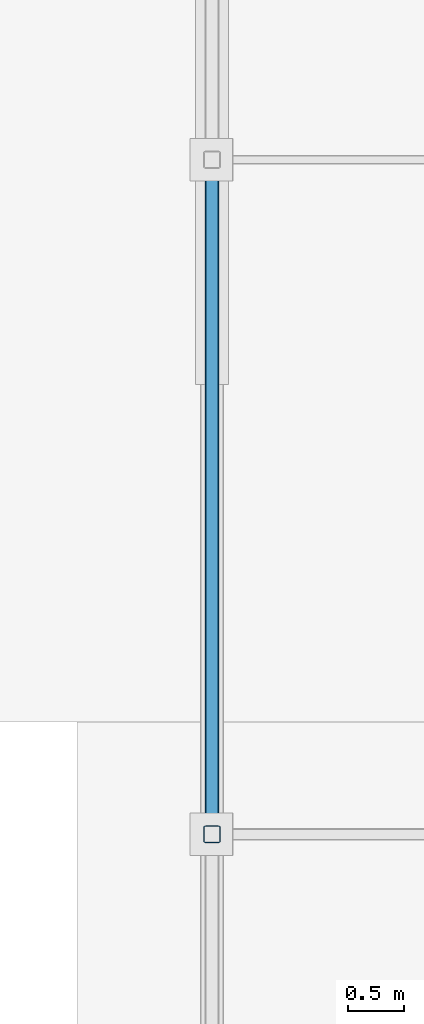
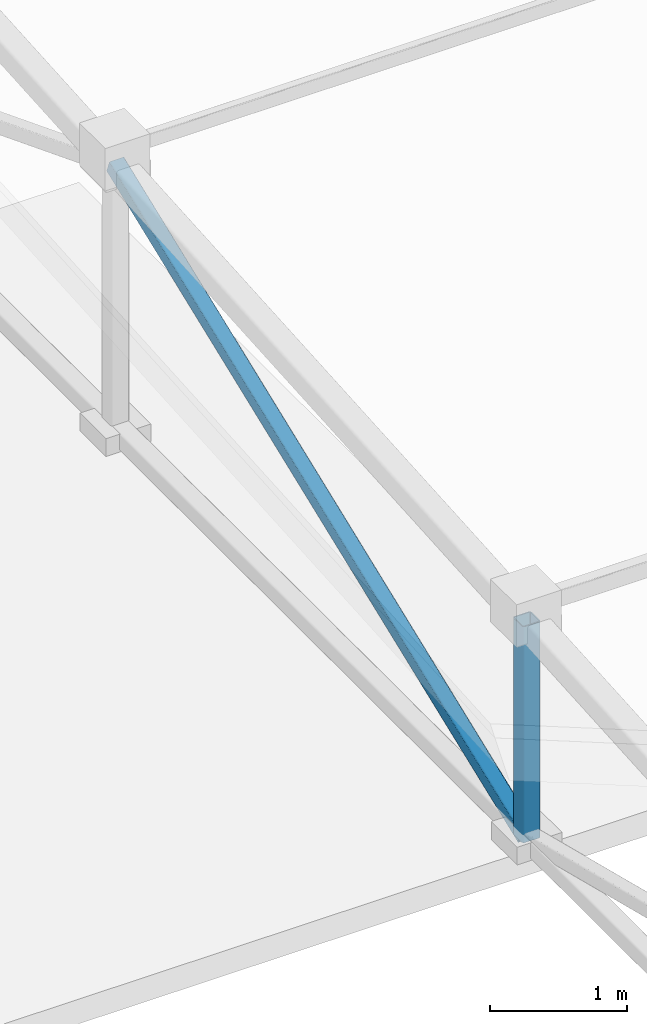
# One storey, part 12 of 85: 2 members.
"""IFC4 building model written with IfcOpenShell, lengths in metres."""

import ifcopenshell
import ifcopenshell.guid

model = None  # the IFC model being written
_history = None  # IfcOwnerHistory: only IFC2X3 demands one
_inside = {}  # id of a spatial element -> (the spatial element, [elements in it])
_under = {}  # id of a project, library or spatial element -> (it, [spatial elements below it])
_declared = {}  # id of a project -> (the project, [libraries it declares])
_typed = {}  # id of a type object -> (the type object, [elements of that type])
_made_of = {}  # id of a material, layer set ... -> (it, [elements and type objects made of it])


def new_model(schema):
    """Start an empty IFC model of exactly this schema.

    Asked for "IFC4X3", IfcOpenShell would pick the latest addendum, in which some entities
    have other attributes; the version numbers below select the first issue.
    IFC2X3 requires an IfcOwnerHistory on every rooted entity: one is made here for all.
    """
    global model, _history
    if schema == "IFC4X3":
        model = ifcopenshell.file(schema_version=(4, 3, 0, 0))
    else:
        model = ifcopenshell.file(schema=schema)
    _inside.clear()
    _under.clear()
    _declared.clear()
    _typed.clear()
    _made_of.clear()
    _history = None
    if model.schema == "IFC2X3":
        org = make("IfcOrganization", Name="unknown")
        user = make(
            "IfcPersonAndOrganization",
            ThePerson=make("IfcPerson", FamilyName="unknown"),
            TheOrganization=org,
        )
        app = make(
            "IfcApplication",
            ApplicationDeveloper=org,
            Version="unknown",
            ApplicationFullName="unknown",
            ApplicationIdentifier="unknown",
        )
        _history = make(
            "IfcOwnerHistory",
            OwningUser=user,
            OwningApplication=app,
            ChangeAction="ADDED",
            CreationDate=0,
        )
    return model


def make(cls, **values):
    """One entity of the class cls with the attributes given. An attribute that is None is left unset."""
    return model.create_entity(
        cls, **{name: value for name, value in values.items() if value is not None}
    )


def rooted(cls, **values):
    """An entity with a GlobalId (a new one), such as an element, a storey or a relation."""
    return make(cls, GlobalId=ifcopenshell.guid.new(), OwnerHistory=_history, **values)


def si_unit(unit_type, name, prefix=None):
    """IfcSIUnit, for example si_unit("LENGTHUNIT", "METRE", prefix="MILLI")."""
    return make("IfcSIUnit", UnitType=unit_type, Prefix=prefix, Name=name)


def assignment(units):
    """IfcUnitAssignment: the units of a project."""
    return None if units is None else make("IfcUnitAssignment", Units=units)


def point(xyz):
    """IfcCartesianPoint."""
    return None if xyz is None else make("IfcCartesianPoint", Coordinates=xyz)


def direction(xyz):
    """IfcDirection."""
    return None if xyz is None else make("IfcDirection", DirectionRatios=xyz)


def frame(location, z_axis=None, x_axis=None):
    """IfcAxis2Placement3D, a coordinate frame: its origin and axes. An axis left out is left unset."""
    return make(
        "IfcAxis2Placement3D",
        Location=point(location),
        Axis=direction(z_axis),
        RefDirection=direction(x_axis),
    )


def frame_2d(location, x_axis=None):
    """IfcAxis2Placement2D, a coordinate frame in the plane: its origin and x axis."""
    return make(
        "IfcAxis2Placement2D", Location=point(location), RefDirection=direction(x_axis)
    )


def origin():
    """The frame at (0, 0, 0) with its axes left unset."""
    return frame((0.0, 0.0, 0.0))


def origin_2d():
    """The frame at (0, 0) in the plane with its x axis left unset."""
    return frame_2d((0.0, 0.0))


def place(relative_to, where):
    """IfcLocalPlacement: puts the frame where relative to a parent placement (None: the world)."""
    return make(
        "IfcLocalPlacement", PlacementRelTo=relative_to, RelativePlacement=where
    )


def context(
    kind, dimensions, precision=None, world=None, true_north=None, identifier=None
):
    """IfcGeometricRepresentationContext, for example the 3D "Model" context."""
    return make(
        "IfcGeometricRepresentationContext",
        ContextIdentifier=identifier,
        ContextType=kind,
        CoordinateSpaceDimension=dimensions,
        Precision=precision,
        WorldCoordinateSystem=world,
        TrueNorth=true_north,
    )


def subcontext(parent, identifier, kind, view, scale=None):
    """IfcGeometricRepresentationSubContext, for example "Body" below "Model"."""
    return make(
        "IfcGeometricRepresentationSubContext",
        ContextIdentifier=identifier,
        ContextType=kind,
        ParentContext=parent,
        TargetScale=scale,
        TargetView=view,
    )


def project(units=None, contexts=None):
    """IfcProject with its units and contexts."""
    return rooted(
        "IfcProject",
        Name="project",
        RepresentationContexts=contexts,
        UnitsInContext=assignment(units),
    )


def spatial(cls, under=None, at=None, **own):
    """A site, building, storey or space (cls), placed at a placement, below another one or the project."""
    s = rooted(cls, ObjectPlacement=at, **own)
    if under is not None:
        _under.setdefault(under.id(), (under, []))[1].append(s)
    return s


def profile(cls, at=None, kind="AREA", **sizes):
    """A parametric profile (cls). Its sizes go by their IFC names, for example OverallWidth=200.0."""
    return make(cls, ProfileType=kind, Position=at, **sizes)


def hollow_rectangle(**sizes):
    """IfcRectangleHollowProfileDef."""
    return profile("IfcRectangleHollowProfileDef", **sizes)


def extrude(swept, where, along, depth):
    """IfcExtrudedAreaSolid: the profile swept, set in the frame where, extruded along a direction by depth."""
    return make(
        "IfcExtrudedAreaSolid",
        SweptArea=swept,
        Position=where,
        ExtrudedDirection=direction(along),
        Depth=depth,
    )


def shape(context_of_items, identifier, shape_type, items):
    """IfcShapeRepresentation: the items that make up one representation, for example the "Body"."""
    return make(
        "IfcShapeRepresentation",
        ContextOfItems=context_of_items,
        RepresentationIdentifier=identifier,
        RepresentationType=shape_type,
        Items=items,
    )


def material(Name=None, Category=None):
    """IfcMaterial."""
    return make("IfcMaterial", Name=Name, Category=Category)


def material_profile(
    of_material, cross_section, Name=None, Category=None, Priority=None
):
    """IfcMaterialProfile: a cross section and its material."""
    return make(
        "IfcMaterialProfile",
        Name=Name,
        Material=of_material,
        Profile=cross_section,
        Priority=Priority,
        Category=Category,
    )


def profile_set(profiles, Name=None, composite=None):
    """IfcMaterialProfileSet."""
    return make(
        "IfcMaterialProfileSet",
        Name=Name,
        MaterialProfiles=profiles,
        CompositeProfile=composite,
    )


def made_of(thing, what):
    """Note that an element or type object is made of a material, layer set ...; save() writes the relation."""
    if what is not None:
        _made_of.setdefault(what.id(), (what, []))[1].append(thing)
    return thing


def type_object(cls, material=None, **own):
    """A type object (cls), such as IfcWallType, which elements share."""
    return made_of(rooted(cls, **own), material)


def element(
    cls,
    number,
    at=None,
    inside=None,
    cuts=None,
    type_object=None,
    material=None,
    context=None,
    identifier="Body",
    shape_type=None,
    held_by="IfcProductDefinitionShape",
    body=None,
    shapes=None,
    **own,
):
    """One element of the class cls, such as IfcWall. Its Tag is "e" and its number.

    at: its placement. inside: the storey or other place that contains it. cuts: it is an
    opening in that element (IfcRelVoidsElement). A single representation is given by context,
    identifier, shape_type and body (its items); several are given by shapes. held_by: the class
    of the entity that holds the representations. save() writes the other relations.
    """
    e = rooted(cls, Tag="e%d" % number, ObjectPlacement=at, **own)
    if body is not None:
        shapes = [shape(context, identifier, shape_type, body)]
    if shapes is not None:
        e.Representation = make(held_by, Representations=shapes)
    if inside is not None:
        _inside.setdefault(inside.id(), (inside, []))[1].append(e)
    if cuts is not None:
        rooted(
            "IfcRelVoidsElement", RelatingBuildingElement=cuts, RelatedOpeningElement=e
        )
    if type_object is not None:
        _typed.setdefault(type_object.id(), (type_object, []))[1].append(e)
    return made_of(e, material)


def aggregate(whole, parts):
    """IfcRelAggregates: a whole, such as a stair, and the parts it consists of."""
    return rooted("IfcRelAggregates", RelatingObject=whole, RelatedObjects=parts)


def save(model, path):
    """Write the relations noted so far, then the file.

    IfcRelAggregates (storeys below a building ...), IfcRelContainedInSpatialStructure (elements
    in a storey), IfcRelDefinesByType, IfcRelAssociatesMaterial and IfcRelDeclares: one each for
    every whole, place, type object, material and project.
    """
    for whole, parts in _under.values():
        aggregate(whole, parts)
    for where, things in _inside.values():
        rooted(
            "IfcRelContainedInSpatialStructure",
            RelatedElements=things,
            RelatingStructure=where,
        )
    for kind, things in _typed.values():
        rooted("IfcRelDefinesByType", RelatedObjects=things, RelatingType=kind)
    for what, things in _made_of.values():
        rooted("IfcRelAssociatesMaterial", RelatedObjects=things, RelatingMaterial=what)
    for by, libraries in _declared.values():
        rooted("IfcRelDeclares", RelatingContext=by, RelatedDefinitions=libraries)
    model.write(path)


model = new_model("IFC4")

# Units and contexts
model_context = context("Model", 3, precision=1e-05, world=origin(), true_north=direction((0.0, 1.0)))
body_context = subcontext(model_context, "Body", "Model", "MODEL_VIEW")
ifc_project = project(units=[si_unit("LENGTHUNIT", "METRE"), si_unit("AREAUNIT", "SQUARE_METRE"), si_unit("VOLUMEUNIT", "CUBIC_METRE"), si_unit("PLANEANGLEUNIT", "RADIAN"), si_unit("MASSUNIT", "GRAM", prefix="KILO"), si_unit("THERMODYNAMICTEMPERATUREUNIT", "KELVIN"), si_unit("POWERUNIT", "WATT")], contexts=[model_context])

# Site, building, storey
site_placement = place(None, origin())
site = spatial("IfcSite", under=ifc_project, at=site_placement, CompositionType="ELEMENT")
building_placement = place(site_placement, origin())
building = spatial("IfcBuilding", under=site, at=building_placement, Name="Zelmaris Science Centre", CompositionType="ELEMENT")
storey_placement = place(building_placement, frame((0.0, 0.0, 20.39990234375)))
storey = spatial("IfcBuildingStorey", under=building, at=storey_placement, Name="L04", CompositionType="ELEMENT", Elevation=20.39990234375)

# Members
ifc_material = material(Name="Steel ASTM A500 Grade C", Category="steel")
ifc_material_profile_1 = material_profile(ifc_material, hollow_rectangle(XDim=0.15234375, YDim=0.15234375, WallThickness=0.0087890625, InnerFilletRadius=0.0087890625, OuterFilletRadius=0.017822265625, at=origin_2d()), Name="HSS152X152X10")
ifc_profile_set_1 = profile_set([ifc_material_profile_1], Name="Steel ASTM A500 Grade C")
member_type_1 = type_object("IfcMemberType", Name="Structural Brace BR-03 HSS152X152X10", PredefinedType="BRACE", material=ifc_profile_set_1)
member_1_placement = place(storey_placement, frame((108.0, 20.0, 0.947998046875), z_axis=(0.0, 0.0, 1.0), x_axis=(1.0, 0.0, 0.0)))
element("IfcMember", 1, at=member_1_placement, inside=storey, type_object=member_type_1, Name="RF-V4 Roof truss 1 vertical web 2", PredefinedType="BRACE", context=body_context, shape_type="SweptSolid", body=[
    extrude(hollow_rectangle(XDim=0.15234375, YDim=0.15234375, WallThickness=0.0087890625, InnerFilletRadius=0.0087890625, OuterFilletRadius=0.017822265625, at=origin_2d()), origin(), (0.0, 0.0, 1.0), 1.9248046875),
])
ifc_material_profile_2 = material_profile(ifc_material, hollow_rectangle(XDim=0.126953125, YDim=0.126953125, WallThickness=0.00732421875, InnerFilletRadius=0.00732421875, OuterFilletRadius=0.014892578125, at=origin_2d()), Name="HSS127X127X8")
ifc_profile_set_2 = profile_set([ifc_material_profile_2], Name="Steel ASTM A500 Grade C")
member_type_2 = type_object("IfcMemberType", Name="Structural Brace BR-04 HSS127X127X8", PredefinedType="BRACE", material=ifc_profile_set_2)
member_2_placement = place(storey_placement, frame((108.0, 20.0, 0.947998046875), z_axis=(0.0, 0.93179104927, 0.362995097075), x_axis=(-1.0, 0.0, 0.0)))
element("IfcMember", 2, at=member_2_placement, inside=storey, type_object=member_type_2, Name="RF-V4 Roof truss 1 web diagonal 3", PredefinedType="BRACE", context=body_context, shape_type="SweptSolid", body=[
    extrude(hollow_rectangle(XDim=0.126953125, YDim=0.126953125, WallThickness=0.00732421875, InnerFilletRadius=0.00732421875, OuterFilletRadius=0.014892578125, at=origin_2d()), origin(), (0.0, 0.0, 1.0), 6.439208984375),
])

save(model, "model.ifc")
